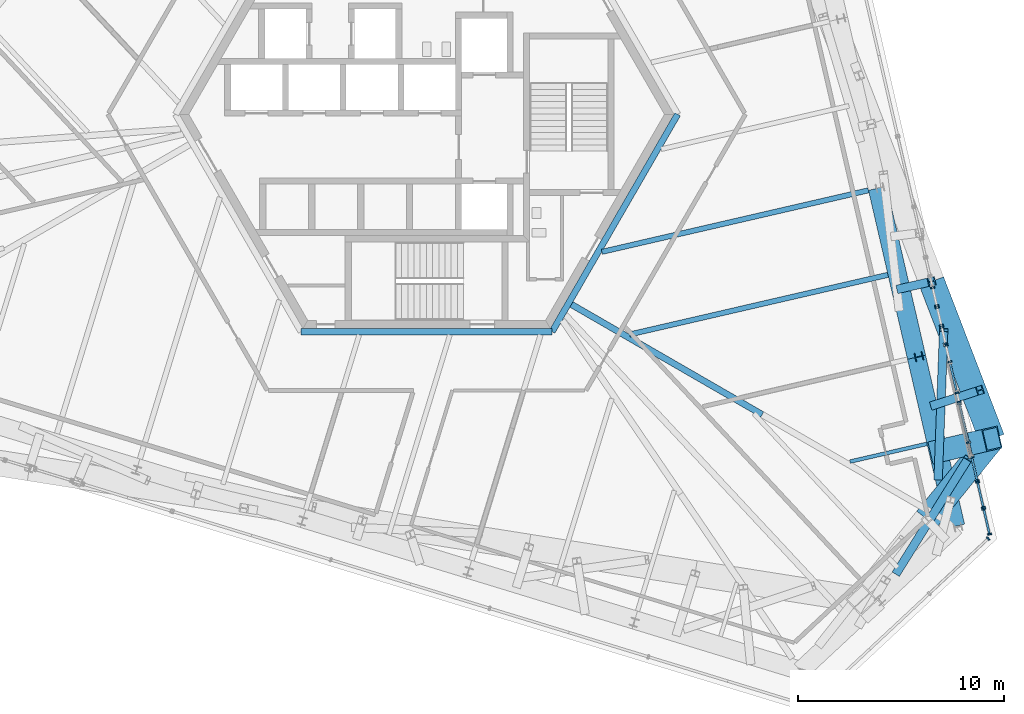
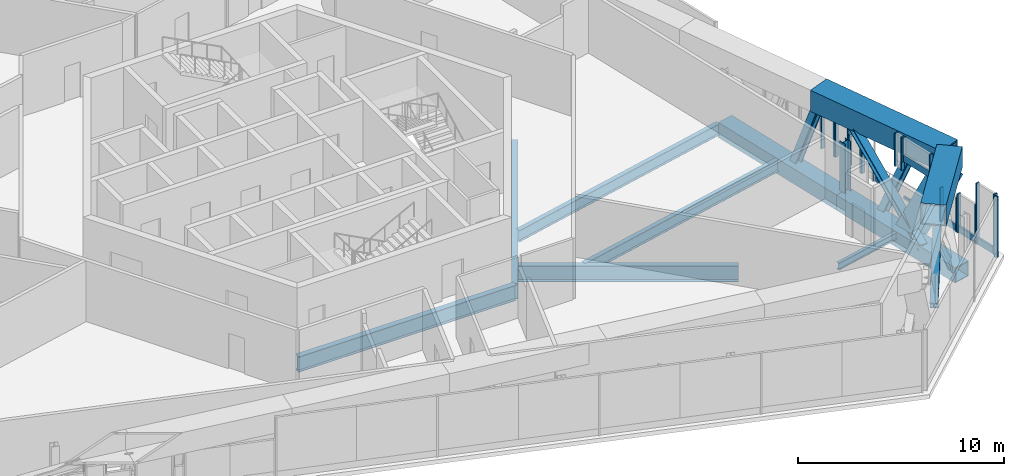
# One storey, part 5 of 31: 35 members, 6 beams, 12 elements without a shape of their own.
"""IFC4 building model written with IfcOpenShell, lengths in metres."""

from ifc_helpers import new_model, si_unit, direction, frame, origin, origin_2d, place, context, subcontext, project, spatial, rectangle, hollow_rectangle, i_section, extrude, source, transform, mapped, material, material_profile, profile_set, type_object, element, aggregate, save


model = new_model("IFC4")

# Units and contexts
model_context = context("Model", 3, precision=1e-05, world=origin(), true_north=direction((0.0, 1.0)))
body_context = subcontext(model_context, "Body", "Model", "MODEL_VIEW")
ifc_project = project(units=[si_unit("LENGTHUNIT", "METRE"), si_unit("AREAUNIT", "SQUARE_METRE"), si_unit("VOLUMEUNIT", "CUBIC_METRE"), si_unit("PLANEANGLEUNIT", "RADIAN"), si_unit("MASSUNIT", "GRAM", prefix="KILO")], contexts=[model_context])

# Site, building, storey
site_placement = place(None, origin())
site = spatial("IfcSite", under=ifc_project, at=site_placement, CompositionType="ELEMENT")
building_placement = place(site_placement, origin())
building = spatial("IfcBuilding", under=site, at=building_placement, Name="Triune Harvest Tower", CompositionType="ELEMENT")
storey_placement = place(building_placement, frame((0.0, 0.0, 134.300048828125)))
storey = spatial("IfcBuildingStorey", under=building, at=storey_placement, Name="L34", CompositionType="ELEMENT", Elevation=134.300048828125)

# Beams
ifc_material_1 = material(Name="Steel ASTM A992 Gr 50", Category="steel")
ifc_material_profile_1 = material_profile(ifc_material_1, i_section(OverallWidth=0.253662109375, OverallDepth=0.683349609375, WebThickness=0.012451171875, FlangeThickness=0.01904296875, at=origin_2d()), Name="W27x94")
ifc_profile_set_1 = profile_set([ifc_material_profile_1], Name="Steel ASTM A992 Gr 50")
beam_type_1 = type_object("IfcBeamType", Name="JT-4 Floor joist W27x94", PredefinedType="JOIST", material=ifc_profile_set_1)
beam_1_placement = place(storey_placement, frame((22.380859375, -7.78662109375, -0.591552734375), z_axis=(-0.974369432992, -0.224953790923, 0.0), x_axis=(0.224953790923, -0.974369432992, 0.0)))
element("IfcBeam", 1, at=beam_1_placement, inside=storey, type_object=beam_type_1, Name="beam/L34/JT3", PredefinedType="JOIST", context=body_context, shape_type="SweptSolid", body=[
    extrude(i_section(OverallWidth=0.253662109375, OverallDepth=0.683349609375, WebThickness=0.012451171875, FlangeThickness=0.01904296875, at=origin_2d()), origin(), (0.0, 0.0, 1.0), 12.859619140625),
])
beam_2_placement = place(storey_placement, frame((21.434326171875, -3.687255859375, -0.591552734375), z_axis=(-0.974371355588, -0.224945463188, 0.0), x_axis=(0.224945463188, -0.974371355588, 0.0)))
element("IfcBeam", 2, at=beam_2_placement, inside=storey, type_object=beam_type_1, Name="beam/L34/JT4", PredefinedType="JOIST", context=body_context, shape_type="SweptSolid", body=[
    extrude(i_section(OverallWidth=0.253662109375, OverallDepth=0.683349609375, WebThickness=0.012451171875, FlangeThickness=0.01904296875, at=origin_2d()), origin(), (0.0, 0.0, 1.0), 13.27587890625),
])

# Members
ifc_material_2 = material(Name="Steel ASTM A572 Gr 50", Category="steel")
ifc_material_profile_2 = material_profile(ifc_material_2, hollow_rectangle(XDim=0.89990234375, YDim=0.89990234375, WallThickness=0.050048828125, at=origin_2d()), Name="Box 900x900x50")
ifc_profile_set_2 = profile_set([ifc_material_profile_2], Name="Steel ASTM A572 Gr 50")
member_type_1 = type_object("IfcMemberType", Name="TC-2 Belt truss chord Box 900x900x50", PredefinedType="CHORD", material=ifc_profile_set_2)
member_1_placement = place(storey_placement, frame((23.765869140625, -11.784912109375, -0.699951171875), z_axis=(-0.224971810835, 0.974365272539, 0.0), x_axis=(-0.974365272539, -0.224971810835, 0.0)))
element("IfcMember", 3, at=member_1_placement, inside=storey, type_object=member_type_1, Name="truss/L34/TCB2", PredefinedType="CHORD", context=body_context, shape_type="SweptSolid", body=[
    extrude(hollow_rectangle(XDim=0.89990234375, YDim=0.89990234375, WallThickness=0.050048828125, at=origin_2d()), origin(), (0.0, 0.0, 1.0), 8.414794921875),
])
ifc_material_3 = material(Name="Steel ASTM A992 Gr 50", Category="steel")
ifc_material_profile_3 = material_profile(ifc_material_3, i_section(OverallWidth=0.411376953125, OverallDepth=0.434326171875, WebThickness=0.035888671875, FlangeThickness=0.057373046875, at=origin_2d()), Name="W14x311")
ifc_profile_set_3 = profile_set([ifc_material_profile_3], Name="Steel ASTM A992 Gr 50")
member_type_2 = type_object("IfcMemberType", Name="TD-2 Belt truss diagonal W14x311", PredefinedType="BRACE", material=ifc_profile_set_3)
member_2_placement = place(storey_placement, frame((24.814697265625, -17.661376953125, -0.324951171875), z_axis=(0.034723125722, 0.935239143067, 0.352309593703), x_axis=(-0.999311484738, 0.037101973946, 0.0)))
element("IfcMember", 4, at=member_2_placement, inside=storey, type_object=member_type_2, Name="truss/L34/TD1", PredefinedType="BRACE", context=body_context, shape_type="SweptSolid", body=[
    extrude(i_section(OverallWidth=0.411376953125, OverallDepth=0.434326171875, WebThickness=0.035888671875, FlangeThickness=0.057373046875, at=origin_2d()), origin(), (0.0, 0.0, 1.0), 7.69189453125),
])
member_3_placement = place(storey_placement, frame((22.7998046875, -22.2392578125, -0.324951171875), z_axis=(0.49031041462, 0.783027904257, 0.382704845108), x_axis=(-0.847551433128, 0.530713263639, 0.0)))
element("IfcMember", 5, at=member_3_placement, inside=storey, type_object=member_type_2, Name="truss/L34/TD47", PredefinedType="BRACE", context=body_context, shape_type="SweptSolid", body=[
    extrude(i_section(OverallWidth=0.411376953125, OverallDepth=0.434326171875, WebThickness=0.035888671875, FlangeThickness=0.057373046875, at=origin_2d()), origin(), (0.0, 0.0, 1.0), 7.0810546875),
])

# Curtain wall, member
ifc_material_4 = material(Name="Aluminium bronze anodised", Category="aluminium")
curtain_wall_type_1 = type_object("IfcCurtainWallType", Name="CW-5 Plant louvre wall", PredefinedType="NOTDEFINED", material=ifc_material_4)
curtain_wall_1_placement = place(storey_placement, origin())
curtain_wall_1 = element("IfcCurtainWall", 6, at=curtain_wall_1_placement, inside=storey, type_object=curtain_wall_type_1, Name="CW-5 B3-F1 L34 run 201")
ifc_material_5 = material(Name="Aluminium bronze anodised", Category="aluminium")
ifc_material_profile_4 = material_profile(ifc_material_5, rectangle(XDim=0.10009765625, YDim=0.39990234375, at=origin_2d()), Name="TR-5 transom 100 x 400")
ifc_profile_set_4 = profile_set([ifc_material_profile_4], Name="Aluminium bronze anodised")
member_type_3 = type_object("IfcMemberType", Name="TR-5 transom 100 x 400", PredefinedType="USERDEFINED", material=ifc_profile_set_4)
member_4_placement = place(storey_placement, frame((26.6962890625, -17.728271484375, 0.199951171875), z_axis=(-0.224744030518, 0.974417836837, 0.0), x_axis=(-0.974417836837, -0.224744030518, 0.0)))
member_4 = element("IfcMember", 7, at=member_4_placement, type_object=member_type_3, Name="CW-5 transom B3-F1 201.1", ObjectType="TRANSOM", PredefinedType="USERDEFINED", context=body_context, shape_type="SweptSolid", body=[
    extrude(rectangle(XDim=0.10009765625, YDim=0.39990234375, at=origin_2d()), origin(), (0.0, 0.0, 1.0), 1.080810546875),
])

curtain_wall_2_placement = place(storey_placement, origin())
curtain_wall_2 = element("IfcCurtainWall", 8, at=curtain_wall_2_placement, inside=storey, type_object=curtain_wall_type_1, Name="CW-5 B3-F1 L34 run 301")
member_5_placement = place(storey_placement, frame((26.270263671875, -15.8818359375, 2.39453125), z_axis=(-0.224917244583, 0.974377869766, 0.0), x_axis=(-0.974377869766, -0.224917244583, 0.0)))
member_5 = element("IfcMember", 9, at=member_5_placement, type_object=member_type_3, Name="CW-5 transom B3-F1 301.1", ObjectType="TRANSOM", PredefinedType="USERDEFINED", context=body_context, shape_type="SweptSolid", body=[
    extrude(rectangle(XDim=0.10009765625, YDim=0.39990234375, at=origin_2d()), origin(), (0.0, 0.0, 1.0), 1.852783203125),
])

curtain_wall_3_placement = place(storey_placement, origin())
curtain_wall_3 = element("IfcCurtainWall", 10, at=curtain_wall_3_placement, inside=storey, type_object=curtain_wall_type_1, Name="CW-5 B3-F1 L34 run 601")
member_6_placement = place(storey_placement, frame((25.696044921875, -13.39501953125, 0.199951171875), z_axis=(-0.224996669254, 0.974359532629, 0.0), x_axis=(-0.974359532629, -0.224996669254, 0.0)))
member_6 = element("IfcMember", 11, at=member_6_placement, type_object=member_type_3, Name="CW-5 transom B3-F1 601.1", ObjectType="TRANSOM", PredefinedType="USERDEFINED", context=body_context, shape_type="SweptSolid", body=[
    extrude(rectangle(XDim=0.10009765625, YDim=0.39990234375, at=origin_2d()), origin(), (0.0, 0.0, 1.0), 1.300048828125),
])
aggregate(curtain_wall_3, [member_6])

# Beams
ifc_material_6 = material(Name="Steel ASTM A992 Gr 50", Category="steel")
ifc_material_profile_5 = material_profile(ifc_material_6, i_section(OverallWidth=0.3046875, OverallDepth=0.914306640625, WebThickness=0.0166015625, FlangeThickness=0.02587890625, at=origin_2d()), Name="W36x160")
ifc_profile_set_5 = profile_set([ifc_material_profile_5], Name="Steel ASTM A992 Gr 50")
beam_type_2 = type_object("IfcBeamType", Name="CG-1 Core ring girder W36x160", PredefinedType="BEAM", material=ifc_profile_set_5)
shared_shape_1 = source(origin(), body_context, "Body", "SweptSolid", [
    extrude(i_section(OverallWidth=0.3046875, OverallDepth=0.914306640625, WebThickness=0.0166015625, FlangeThickness=0.02587890625, at=origin_2d()), origin(), (0.0, 0.0, 1.0), 12.176025390625),
])
beam_3_placement = place(storey_placement, frame((6.087890625, -10.544677734375, -0.707275390625), z_axis=(0.5000099932, 0.866019634131, 0.0), x_axis=(-0.866019634131, 0.5000099932, 0.0)))
element("IfcBeam", 12, at=beam_3_placement, inside=storey, type_object=beam_type_2, Name="beam/L34/CG6", PredefinedType="BEAM", context=body_context, shape_type="MappedRepresentation", body=[
    mapped(shared_shape_1, transform((0.0, 0.0, 0.0), scale=1.0)),
])
shared_shape_2 = source(origin(), body_context, "Body", "SweptSolid", [
    extrude(i_section(OverallWidth=0.3046875, OverallDepth=0.914306640625, WebThickness=0.0166015625, FlangeThickness=0.02587890625, at=origin_2d()), origin(), (0.0, 0.0, 1.0), 12.17578125),
])
beam_4_placement = place(storey_placement, frame((-6.087890625, -10.544677734375, -0.707275390625), z_axis=(1.0, 0.0, 0.0), x_axis=(0.0, 1.0, 0.0)))
element("IfcBeam", 13, at=beam_4_placement, inside=storey, type_object=beam_type_2, Name="beam/L34/CG5", PredefinedType="BEAM", context=body_context, shape_type="MappedRepresentation", body=[
    mapped(shared_shape_2, transform((0.0, 0.0, 0.0), scale=1.0)),
])
ifc_material_7 = material(Name="Steel ASTM A992 Gr 50", Category="steel")
ifc_material_profile_6 = material_profile(ifc_material_7, i_section(OverallWidth=0.307373046875, OverallDepth=0.922119140625, WebThickness=0.018310546875, FlangeThickness=0.030029296875, at=origin_2d()), Name="W36x182")
ifc_profile_set_6 = profile_set([ifc_material_profile_6], Name="Steel ASTM A992 Gr 50")
beam_type_3 = type_object("IfcBeamType", Name="HG-2 Hip girder W36x182", PredefinedType="BEAM", material=ifc_profile_set_6)
shared_shape_3 = source(origin(), body_context, "Body", "SweptSolid", [
    extrude(i_section(OverallWidth=0.307373046875, OverallDepth=0.922119140625, WebThickness=0.018310546875, FlangeThickness=0.030029296875, at=origin_2d()), origin(), (0.0, 0.0, 1.0), 10.681640625),
])
beam_5_placement = place(storey_placement, frame((16.27587890625, -14.56640625, -0.7109375), z_axis=(-0.866023441189, 0.500003399299, 0.0), x_axis=(-0.500003399299, -0.866023441189, 0.0)))
element("IfcBeam", 14, at=beam_5_placement, inside=storey, type_object=beam_type_3, Name="beam/L34/HG2", PredefinedType="BEAM", context=body_context, shape_type="MappedRepresentation", body=[
    mapped(shared_shape_3, transform((0.0, 0.0, 0.0), scale=1.0)),
])
ifc_material_8 = material(Name="Steel ASTM A992 Gr 50", Category="steel")
ifc_material_profile_7 = material_profile(ifc_material_8, i_section(OverallWidth=0.180908203125, OverallDepth=0.41650390625, WebThickness=0.010986328125, FlangeThickness=0.01806640625, at=origin_2d()), Name="W16x57")
ifc_profile_set_7 = profile_set([ifc_material_profile_7], Name="Steel ASTM A992 Gr 50")
beam_type_4 = type_object("IfcBeamType", Name="JT-1 Floor joist W16x57", PredefinedType="JOIST", material=ifc_profile_set_7)
shared_shape_4 = source(origin(), body_context, "Body", "SweptSolid", [
    extrude(i_section(OverallWidth=0.180908203125, OverallDepth=0.41650390625, WebThickness=0.010986328125, FlangeThickness=0.01806640625, at=origin_2d()), origin(), (0.0, 0.0, 1.0), 3.83642578125),
])
beam_6_placement = place(storey_placement, frame((24.273681640625, -15.9853515625, -0.458251953125), z_axis=(-0.974367594068, -0.224961755929, 0.0), x_axis=(0.224961755929, -0.974367594068, 0.0)))
element("IfcBeam", 15, at=beam_6_placement, inside=storey, type_object=beam_type_4, Name="beam/L34/JT1", PredefinedType="JOIST", context=body_context, shape_type="MappedRepresentation", body=[
    mapped(shared_shape_4, transform((0.0, 0.0, 0.0), scale=1.0)),
])

# Members
ifc_material_9 = material(Name="Steel ASTM A992 Gr 50", Category="steel")
ifc_material_profile_8 = material_profile(ifc_material_9, i_section(OverallWidth=0.396240234375, OverallDepth=0.381103515625, WebThickness=0.01904296875, FlangeThickness=0.0302734375, at=origin_2d()), Name="W14x159")
ifc_profile_set_8 = profile_set([ifc_material_profile_8], Name="Steel ASTM A992 Gr 50")
member_type_4 = type_object("IfcMemberType", Name="WP-3 Roof edge post W14x159", PredefinedType="POST", material=ifc_profile_set_8)
shared_shape_5 = source(origin(), body_context, "Body", "SweptSolid", [
    extrude(i_section(OverallWidth=0.396240234375, OverallDepth=0.381103515625, WebThickness=0.01904296875, FlangeThickness=0.0302734375, at=origin_2d()), origin(), (0.0, 0.0, 1.0), 2.935546875),
])
member_7_placement = place(storey_placement, frame((23.8828125, -11.7578125, -0.25), z_axis=(0.0, 0.0, 1.0), x_axis=(-0.22495275494, 0.97436967217, 0.0)))
element("IfcMember", 16, at=member_7_placement, inside=storey, type_object=member_type_4, Name="post/L34/W1", PredefinedType="POST", context=body_context, shape_type="MappedRepresentation", body=[
    mapped(shared_shape_5, transform((0.0, 0.0, 0.0), scale=1.0)),
])
shared_shape_6 = source(origin(), body_context, "Body", "SweptSolid", [
    extrude(hollow_rectangle(XDim=0.89990234375, YDim=0.89990234375, WallThickness=0.050048828125, at=origin_2d()), origin(), (0.0, 0.0, 1.0), 8.414306640625),
])
member_8_placement = place(storey_placement, frame((25.65869140625, -19.983642578125, -0.699951171875), z_axis=(-0.224950624774, 0.974370163959, 0.0), x_axis=(-0.974370163959, -0.224950624774, 0.0)))
element("IfcMember", 17, at=member_8_placement, inside=storey, type_object=member_type_1, Name="truss/L34/TCB1", PredefinedType="CHORD", context=body_context, shape_type="MappedRepresentation", body=[
    mapped(shared_shape_6, transform((0.0, 0.0, 0.0), scale=1.0)),
])
ifc_material_10 = material(Name="Steel ASTM A572 Gr 50", Category="steel")
ifc_material_profile_9 = material_profile(ifc_material_10, hollow_rectangle(XDim=1.25, YDim=1.25, WallThickness=0.070068359375, at=origin_2d()), Name="Box 1250x1250x70")
ifc_profile_set_9 = profile_set([ifc_material_profile_9], Name="Steel ASTM A572 Gr 50")
member_type_5 = type_object("IfcMemberType", Name="TC-1 Belt truss chord Box 1250x1250x70", PredefinedType="CHORD", material=ifc_profile_set_9)
shared_shape_7 = source(origin(), body_context, "Body", "SweptSolid", [
    extrude(hollow_rectangle(XDim=1.25, YDim=1.25, WallThickness=0.070068359375, at=origin_2d()), origin(), (0.0, 0.0, 1.0), 8.175048828125),
])
member_9_placement = place(storey_placement, frame((27.425048828125, -15.742431640625, 2.974853515625), z_axis=(-0.358368636722, 0.933580162714, 0.0), x_axis=(-0.933580162714, -0.358368636722, 0.0)))
element("IfcMember", 18, at=member_9_placement, inside=storey, type_object=member_type_5, Name="truss/L34/TCT1", PredefinedType="CHORD", context=body_context, shape_type="MappedRepresentation", body=[
    mapped(shared_shape_7, transform((0.0, 0.0, 0.0), scale=1.0)),
])
shared_shape_8 = source(origin(), body_context, "Body", "SweptSolid", [
    extrude(hollow_rectangle(XDim=1.25, YDim=1.25, WallThickness=0.070068359375, at=origin_2d()), origin(), (0.0, 0.0, 1.0), 5.025146484375),
])
member_10_placement = place(storey_placement, frame((24.2626953125, -19.647705078125, 2.974853515625), z_axis=(0.629311429887, 0.777153217978, 0.0), x_axis=(-0.777153217978, 0.629311429887, 0.0)))
element("IfcMember", 19, at=member_10_placement, inside=storey, type_object=member_type_5, Name="truss/L34/TCT24", PredefinedType="CHORD", context=body_context, shape_type="MappedRepresentation", body=[
    mapped(shared_shape_8, transform((0.0, 0.0, 0.0), scale=1.0)),
])
ifc_material_11 = material(Name="Steel ASTM A572 Gr 50", Category="steel")
ifc_material_profile_10 = material_profile(ifc_material_11, hollow_rectangle(XDim=1.10009765625, YDim=1.10009765625, WallThickness=0.06005859375, at=origin_2d()), Name="Box 1100x1100x60")
ifc_profile_set_10 = profile_set([ifc_material_profile_10], Name="Steel ASTM A572 Gr 50")
member_type_6 = type_object("IfcMemberType", Name="TS-1 Belt truss raked strut Box 1100x1100x60", PredefinedType="STRUT", material=ifc_profile_set_10)
shared_shape_9 = source(origin(), body_context, "Body", "SweptSolid", [
    extrude(hollow_rectangle(XDim=1.10009765625, YDim=1.10009765625, WallThickness=0.06005859375, at=origin_2d()), origin(), (0.0, 0.0, 1.0), 3.772705078125),
])
member_11_placement = place(storey_placement, frame((24.818359375, -16.34423828125, -0.275146484375), z_axis=(0.690930672948, 0.159515229823, 0.705102614259), x_axis=(-0.224952815175, 0.974369658264, 0.0)))
element("IfcMember", 20, at=member_11_placement, inside=storey, type_object=member_type_6, Name="truss/L34/TS1", PredefinedType="STRUT", context=body_context, shape_type="MappedRepresentation", body=[
    mapped(shared_shape_9, transform((0.0, 0.0, 0.0), scale=1.0)),
])
ifc_material_12 = material(Name="Steel ASTM A992 Gr 50", Category="steel")
ifc_material_profile_11 = material_profile(ifc_material_12, i_section(OverallWidth=0.411376953125, OverallDepth=0.434326171875, WebThickness=0.035888671875, FlangeThickness=0.057373046875, at=origin_2d()), Name="W14x311")
ifc_profile_set_11 = profile_set([ifc_material_profile_11], Name="Steel ASTM A992 Gr 50")
member_type_7 = type_object("IfcMemberType", Name="TV-1 Belt truss strut W14x311", PredefinedType="STRUT", material=ifc_profile_set_11)
shared_shape_10 = source(origin(), body_context, "Body", "SweptSolid", [
    extrude(i_section(OverallWidth=0.411376953125, OverallDepth=0.434326171875, WebThickness=0.035888671875, FlangeThickness=0.057373046875, at=origin_2d()), origin(), (0.0, 0.0, 1.0), 3.072509765625),
])
member_12_placement = place(storey_placement, frame((22.997314453125, -8.456298828125, -0.275146484375), z_axis=(0.487566137136, 0.112594722347, 0.8657954091), x_axis=(-0.225010268541, 0.974356392215, 0.0)))
element("IfcMember", 21, at=member_12_placement, inside=storey, type_object=member_type_7, Name="truss/L34/TS2", PredefinedType="STRUT", context=body_context, shape_type="MappedRepresentation", body=[
    mapped(shared_shape_10, transform((0.0, 0.0, 0.0), scale=1.0)),
])
shared_shape_11 = source(origin(), body_context, "Body", "SweptSolid", [
    extrude(i_section(OverallWidth=0.411376953125, OverallDepth=0.434326171875, WebThickness=0.035888671875, FlangeThickness=0.057373046875, at=origin_2d()), origin(), (0.0, 0.0, 1.0), 3.58203125),
])
member_13_placement = place(storey_placement, frame((24.60986328125, -14.10693359375, -0.324951171875), z_axis=(0.622136341039, 0.201471847514, 0.756541781938), x_axis=(-0.308086669368, 0.951358294313, 0.0)))
element("IfcMember", 22, at=member_13_placement, inside=storey, type_object=member_type_2, Name="truss/L34/TD2", PredefinedType="BRACE", context=body_context, shape_type="MappedRepresentation", body=[
    mapped(shared_shape_11, transform((0.0, 0.0, 0.0), scale=1.0)),
])

# Curtain wall, members
curtain_wall_4_placement = place(storey_placement, origin())
curtain_wall_4 = element("IfcCurtainWall", 23, at=curtain_wall_4_placement, inside=storey, type_object=curtain_wall_type_1, Name="CW-5 B3-F1 L34 run 1")
ifc_material_13 = material(Name="Aluminium bronze anodised", Category="aluminium")
ifc_material_profile_12 = material_profile(ifc_material_13, rectangle(XDim=0.199951171875, YDim=0.080078125, at=origin_2d()), Name="MU-5 mullion 80 x 200")
ifc_profile_set_12 = profile_set([ifc_material_profile_12], Name="Aluminium bronze anodised")
member_type_8 = type_object("IfcMemberType", Name="MU-5 mullion 80 x 200", PredefinedType="MULLION", material=ifc_profile_set_12)
shared_shape_12 = source(origin(), body_context, "Body", "SweptSolid", [
    extrude(rectangle(XDim=0.199951171875, YDim=0.080078125, at=origin_2d()), origin(), (0.0, 0.0, 1.0), 3.599853515625),
])
member_14_placement = place(storey_placement, frame((27.306396484375, -20.36962890625, 0.0), z_axis=(0.0, 0.0, 1.0), x_axis=(-0.974354583536, -0.225018100478, 0.0)))
member_14 = element("IfcMember", 24, at=member_14_placement, type_object=member_type_8, Name="CW-5 mullion B3-F1 1.1", PredefinedType="MULLION", context=body_context, shape_type="MappedRepresentation", body=[
    mapped(shared_shape_12, transform((0.0, 0.0, 0.0), scale=1.0)),
])
member_15_placement = place(storey_placement, frame((27.023681640625, -19.146484375, 0.0), z_axis=(0.0, 0.0, 1.0), x_axis=(-0.974354583536, -0.225018100478, 0.0)))
member_15 = element("IfcMember", 25, at=member_15_placement, type_object=member_type_8, Name="CW-5 mullion B3-F1 1.2", PredefinedType="MULLION", context=body_context, shape_type="MappedRepresentation", body=[
    mapped(shared_shape_12, transform((0.0, 0.0, 0.0), scale=1.0)),
])

# Curtain wall, member
curtain_wall_5_placement = place(storey_placement, origin())
curtain_wall_5 = element("IfcCurtainWall", 26, at=curtain_wall_5_placement, inside=storey, type_object=curtain_wall_type_1, Name="CW-5 B3-F6 L34 run 1")
member_16_placement = place(storey_placement, frame((27.240478515625, -20.5849609375, 0.0), z_axis=(0.0, 0.0, 1.0), x_axis=(-0.682002387287, 0.731349946151, 0.0)))
member_16 = element("IfcMember", 27, at=member_16_placement, type_object=member_type_8, Name="CW-5 mullion B3-F6 1.4", PredefinedType="MULLION", context=body_context, shape_type="MappedRepresentation", body=[
    mapped(shared_shape_12, transform((0.0, 0.0, 0.0), scale=1.0)),
])
aggregate(curtain_wall_5, [member_16])

# Member
shared_shape_13 = source(origin(), body_context, "Body", "SweptSolid", [
    extrude(rectangle(XDim=0.10009765625, YDim=0.39990234375, at=origin_2d()), origin(), (0.0, 0.0, 1.0), 1.175537109375),
])
member_17_placement = place(storey_placement, frame((27.29736328125, -20.33056640625, 0.199951171875), z_axis=(-0.22514771095, 0.974324642126, 0.0), x_axis=(-0.974324642126, -0.22514771095, 0.0)))
member_17 = element("IfcMember", 28, at=member_17_placement, type_object=member_type_3, Name="CW-5 transom B3-F1 1.1", ObjectType="TRANSOM", PredefinedType="USERDEFINED", context=body_context, shape_type="MappedRepresentation", body=[
    mapped(shared_shape_13, transform((0.0, 0.0, 0.0), scale=1.0)),
])

aggregate(curtain_wall_4, [member_14, member_15, member_17])

# Curtain wall, members
curtain_wall_6_placement = place(storey_placement, origin())
curtain_wall_6 = element("IfcCurtainWall", 29, at=curtain_wall_6_placement, inside=storey, type_object=curtain_wall_type_1, Name="CW-5 B3-F1 L34 run 101")
member_18_placement = place(storey_placement, frame((26.996826171875, -19.029541015625, 0.199951171875), z_axis=(-0.22490500686, 0.974380694539, 0.0), x_axis=(-0.974380694539, -0.22490500686, 0.0)))
member_18 = element("IfcMember", 30, at=member_18_placement, type_object=member_type_3, Name="CW-5 transom B3-F1 101.1", ObjectType="TRANSOM", PredefinedType="USERDEFINED", context=body_context, shape_type="MappedRepresentation", body=[
    mapped(shared_shape_13, transform((0.0, 0.0, 0.0), scale=1.0)),
])
shared_shape_14 = source(origin(), body_context, "Body", "SweptSolid", [
    extrude(rectangle(XDim=0.199951171875, YDim=0.080078125, at=origin_2d()), origin(), (0.0, 0.0, 1.0), 2.2900390625),
])
member_19_placement = place(storey_placement, frame((27.005859375, -19.068359375, 0.0), z_axis=(0.0, 0.0, 1.0), x_axis=(-0.974370998734, -0.224947008929, 0.0)))
member_19 = element("IfcMember", 31, at=member_19_placement, type_object=member_type_8, Name="CW-5 mullion B3-F1 101.1", PredefinedType="MULLION", context=body_context, shape_type="MappedRepresentation", body=[
    mapped(shared_shape_14, transform((0.0, 0.0, 0.0), scale=1.0)),
])
member_20_placement = place(storey_placement, frame((26.723388671875, -17.84521484375, 0.0), z_axis=(0.0, 0.0, 1.0), x_axis=(-0.974370998734, -0.224947008929, 0.0)))
member_20 = element("IfcMember", 32, at=member_20_placement, type_object=member_type_8, Name="CW-5 mullion B3-F1 101.2", PredefinedType="MULLION", context=body_context, shape_type="MappedRepresentation", body=[
    mapped(shared_shape_14, transform((0.0, 0.0, 0.0), scale=1.0)),
])
aggregate(curtain_wall_6, [member_19, member_20, member_18])

curtain_wall_7_placement = place(storey_placement, origin())
curtain_wall_7 = element("IfcCurtainWall", 33, at=curtain_wall_7_placement, inside=storey, type_object=curtain_wall_type_1, Name="CW-5 B3-F1 L34 run 1001")
member_21_placement = place(storey_placement, frame((24.748291015625, -9.28955078125, 0.0), z_axis=(0.0, 0.0, 1.0), x_axis=(-0.974365395743, -0.224971277229, 0.0)))
member_21 = element("IfcMember", 34, at=member_21_placement, type_object=member_type_8, Name="CW-5 mullion B3-F1 1001.1", PredefinedType="MULLION", context=body_context, shape_type="MappedRepresentation", body=[
    mapped(shared_shape_14, transform((0.0, 0.0, 0.0), scale=1.0)),
])
member_22_placement = place(storey_placement, frame((24.545654296875, -8.41259765625, 0.0), z_axis=(0.0, 0.0, 1.0), x_axis=(-0.974365395743, -0.224971277229, 0.0)))
member_22 = element("IfcMember", 35, at=member_22_placement, type_object=member_type_8, Name="CW-5 mullion B3-F1 1001.2", PredefinedType="MULLION", context=body_context, shape_type="MappedRepresentation", body=[
    mapped(shared_shape_14, transform((0.0, 0.0, 0.0), scale=1.0)),
])
aggregate(curtain_wall_7, [member_21, member_22])

# Member
shared_shape_15 = source(origin(), body_context, "Body", "SweptSolid", [
    extrude(rectangle(XDim=0.199951171875, YDim=0.080078125, at=origin_2d()), origin(), (0.0, 0.0, 1.0), 2.022705078125),
])
member_23_placement = place(storey_placement, frame((26.705322265625, -17.767333984375, 0.0), z_axis=(0.0, 0.0, 1.0), x_axis=(-0.974381688115, -0.224900702236, 0.0)))
member_23 = element("IfcMember", 36, at=member_23_placement, type_object=member_type_8, Name="CW-5 mullion B3-F1 201.1", PredefinedType="MULLION", context=body_context, shape_type="MappedRepresentation", body=[
    mapped(shared_shape_15, transform((0.0, 0.0, 0.0), scale=1.0)),
])

member_24_placement = place(storey_placement, frame((26.4443359375, -16.635986328125, 0.0), z_axis=(0.0, 0.0, 1.0), x_axis=(-0.974381688115, -0.224900702236, 0.0)))
member_24 = element("IfcMember", 37, at=member_24_placement, type_object=member_type_8, Name="CW-5 mullion B3-F1 201.2", PredefinedType="MULLION", context=body_context, shape_type="MappedRepresentation", body=[
    mapped(shared_shape_15, transform((0.0, 0.0, 0.0), scale=1.0)),
])

aggregate(curtain_wall_1, [member_23, member_24, member_4])

shared_shape_16 = source(origin(), body_context, "Body", "SweptSolid", [
    extrude(rectangle(XDim=0.199951171875, YDim=0.080078125, at=origin_2d()), origin(), (0.0, 0.0, 1.0), 1.4052734375),
])
member_25_placement = place(storey_placement, frame((26.279296875, -15.9208984375, 2.194580078125), z_axis=(0.0, 0.0, 1.0), x_axis=(-0.974372772712, -0.224939324701, 0.0)))
member_25 = element("IfcMember", 38, at=member_25_placement, type_object=member_type_8, Name="CW-5 mullion B3-F1 301.1", PredefinedType="MULLION", context=body_context, shape_type="MappedRepresentation", body=[
    mapped(shared_shape_16, transform((0.0, 0.0, 0.0), scale=1.0)),
])

member_26_placement = place(storey_placement, frame((25.844482421875, -14.037353515625, 2.194580078125), z_axis=(0.0, 0.0, 1.0), x_axis=(-0.974372772712, -0.224939324701, 0.0)))
member_26 = element("IfcMember", 39, at=member_26_placement, type_object=member_type_8, Name="CW-5 mullion B3-F1 301.2", PredefinedType="MULLION", context=body_context, shape_type="MappedRepresentation", body=[
    mapped(shared_shape_16, transform((0.0, 0.0, 0.0), scale=1.0)),
])

aggregate(curtain_wall_2, [member_25, member_26, member_5])

# Curtain wall, members
curtain_wall_8_placement = place(storey_placement, origin())
curtain_wall_8 = element("IfcCurtainWall", 40, at=curtain_wall_8_placement, inside=storey, type_object=curtain_wall_type_1, Name="CW-5 B3-F1 L34 run 501")
shared_shape_17 = source(origin(), body_context, "Body", "SweptSolid", [
    extrude(rectangle(XDim=0.199951171875, YDim=0.080078125, at=origin_2d()), origin(), (0.0, 0.0, 1.0), 1.944580078125),
])
member_27_placement = place(storey_placement, frame((25.826416015625, -13.95947265625, 1.6552734375), z_axis=(0.0, 0.0, 1.0), x_axis=(-0.974378694007, -0.224913673807, 0.0)))
member_27 = element("IfcMember", 41, at=member_27_placement, type_object=member_type_8, Name="CW-5 mullion B3-F1 501.1", PredefinedType="MULLION", context=body_context, shape_type="MappedRepresentation", body=[
    mapped(shared_shape_17, transform((0.0, 0.0, 0.0), scale=1.0)),
])
member_28_placement = place(storey_placement, frame((25.72314453125, -13.511962890625, 1.6552734375), z_axis=(0.0, 0.0, 1.0), x_axis=(-0.974378694007, -0.224913673807, 0.0)))
member_28 = element("IfcMember", 42, at=member_28_placement, type_object=member_type_8, Name="CW-5 mullion B3-F1 501.2", PredefinedType="MULLION", context=body_context, shape_type="MappedRepresentation", body=[
    mapped(shared_shape_17, transform((0.0, 0.0, 0.0), scale=1.0)),
])
aggregate(curtain_wall_8, [member_27, member_28])

curtain_wall_9_placement = place(storey_placement, origin())
curtain_wall_9 = element("IfcCurtainWall", 43, at=curtain_wall_9_placement, inside=storey, type_object=curtain_wall_type_1, Name="CW-5 B3-F1 L34 run 701")
shared_shape_18 = source(origin(), body_context, "Body", "SweptSolid", [
    extrude(rectangle(XDim=0.199951171875, YDim=0.080078125, at=origin_2d()), origin(), (0.0, 0.0, 1.0), 1.48779296875),
])
member_29_placement = place(storey_placement, frame((25.376708984375, -12.011474609375, 0.0), z_axis=(0.0, 0.0, 1.0), x_axis=(-0.974381899996, -0.22489978426, 0.0)))
member_29 = element("IfcMember", 44, at=member_29_placement, type_object=member_type_8, Name="CW-5 mullion B3-F1 701.1", PredefinedType="MULLION", context=body_context, shape_type="MappedRepresentation", body=[
    mapped(shared_shape_18, transform((0.0, 0.0, 0.0), scale=1.0)),
])
member_30_placement = place(storey_placement, frame((25.190673828125, -11.2060546875, 0.0), z_axis=(0.0, 0.0, 1.0), x_axis=(-0.974381899996, -0.22489978426, 0.0)))
member_30 = element("IfcMember", 45, at=member_30_placement, type_object=member_type_8, Name="CW-5 mullion B3-F1 701.2", PredefinedType="MULLION", context=body_context, shape_type="MappedRepresentation", body=[
    mapped(shared_shape_18, transform((0.0, 0.0, 0.0), scale=1.0)),
])
aggregate(curtain_wall_9, [member_29, member_30])

curtain_wall_10_placement = place(storey_placement, origin())
curtain_wall_10 = element("IfcCurtainWall", 46, at=curtain_wall_10_placement, inside=storey, type_object=curtain_wall_type_1, Name="CW-5 B3-F1 L34 run 801")
shared_shape_19 = source(origin(), body_context, "Body", "SweptSolid", [
    extrude(rectangle(XDim=0.199951171875, YDim=0.080078125, at=origin_2d()), origin(), (0.0, 0.0, 1.0), 1.817138671875),
])
member_31_placement = place(storey_placement, frame((25.172607421875, -11.1279296875, 0.0), z_axis=(0.0, 0.0, 1.0), x_axis=(-0.974357724222, -0.225004500508, 0.0)))
member_31 = element("IfcMember", 47, at=member_31_placement, type_object=member_type_8, Name="CW-5 mullion B3-F1 801.1", PredefinedType="MULLION", context=body_context, shape_type="MappedRepresentation", body=[
    mapped(shared_shape_19, transform((0.0, 0.0, 0.0), scale=1.0)),
])
member_32_placement = place(storey_placement, frame((24.98681640625, -10.322509765625, 0.0), z_axis=(0.0, 0.0, 1.0), x_axis=(-0.974357724222, -0.225004500508, 0.0)))
member_32 = element("IfcMember", 48, at=member_32_placement, type_object=member_type_8, Name="CW-5 mullion B3-F1 801.2", PredefinedType="MULLION", context=body_context, shape_type="MappedRepresentation", body=[
    mapped(shared_shape_19, transform((0.0, 0.0, 0.0), scale=1.0)),
])
aggregate(curtain_wall_10, [member_31, member_32])

curtain_wall_11_placement = place(storey_placement, origin())
curtain_wall_11 = element("IfcCurtainWall", 49, at=curtain_wall_11_placement, inside=storey, type_object=curtain_wall_type_1, Name="CW-5 B3-F1 L34 run 901")
shared_shape_20 = source(origin(), body_context, "Body", "SweptSolid", [
    extrude(rectangle(XDim=0.199951171875, YDim=0.080078125, at=origin_2d()), origin(), (0.0, 0.0, 1.0), 2.146728515625),
])
member_33_placement = place(storey_placement, frame((24.96875, -10.24462890625, 0.0), z_axis=(0.0, 0.0, 1.0), x_axis=(-0.974365395743, -0.224971277229, 0.0)))
member_33 = element("IfcMember", 50, at=member_33_placement, type_object=member_type_8, Name="CW-5 mullion B3-F1 901.1", PredefinedType="MULLION", context=body_context, shape_type="MappedRepresentation", body=[
    mapped(shared_shape_20, transform((0.0, 0.0, 0.0), scale=1.0)),
])
member_34_placement = place(storey_placement, frame((24.76611328125, -9.36767578125, 0.0), z_axis=(0.0, 0.0, 1.0), x_axis=(-0.974365395743, -0.224971277229, 0.0)))
member_34 = element("IfcMember", 51, at=member_34_placement, type_object=member_type_8, Name="CW-5 mullion B3-F1 901.2", PredefinedType="MULLION", context=body_context, shape_type="MappedRepresentation", body=[
    mapped(shared_shape_20, transform((0.0, 0.0, 0.0), scale=1.0)),
])
aggregate(curtain_wall_11, [member_33, member_34])

# Curtain wall, member
ifc_material_14 = material(Name="Aluminium bronze anodised", Category="aluminium")
curtain_wall_type_2 = type_object("IfcCurtainWallType", Name="CW-6 Balcony window wall", PredefinedType="NOTDEFINED", material=ifc_material_14)
curtain_wall_12_placement = place(storey_placement, origin())
curtain_wall_12 = element("IfcCurtainWall", 52, at=curtain_wall_12_placement, inside=storey, type_object=curtain_wall_type_2, Name="CW-6 B3-F1 L34 run 1701")
ifc_material_15 = material(Name="Aluminium bronze anodised", Category="aluminium")
ifc_material_profile_13 = material_profile(ifc_material_15, rectangle(XDim=0.090087890625, YDim=0.14990234375, at=origin_2d()), Name="TR-6 transom 90 x 150")
ifc_profile_set_13 = profile_set([ifc_material_profile_13], Name="Aluminium bronze anodised")
member_type_9 = type_object("IfcMemberType", Name="TR-6 transom 90 x 150", PredefinedType="USERDEFINED", material=ifc_profile_set_13)
shared_shape_21 = source(origin(), body_context, "Body", "SweptSolid", [
    extrude(rectangle(XDim=0.090087890625, YDim=0.14990234375, at=origin_2d()), origin(), (0.0, 0.0, 1.0), 2.516845703125),
])
member_35_placement = place(storey_placement, frame((26.41845703125, -16.52392578125, 0.074951171875), z_axis=(-0.224944517652, 0.974371573876, 0.0), x_axis=(-0.974371573876, -0.224944517652, 0.0)))
member_35 = element("IfcMember", 53, at=member_35_placement, type_object=member_type_9, Name="CW-6 transom B3-F1 1701.1", ObjectType="TRANSOM", PredefinedType="USERDEFINED", context=body_context, shape_type="MappedRepresentation", body=[
    mapped(shared_shape_21, transform((0.0, 0.0, 0.0), scale=1.0)),
])
aggregate(curtain_wall_12, [member_35])

save(model, "model.ifc")
